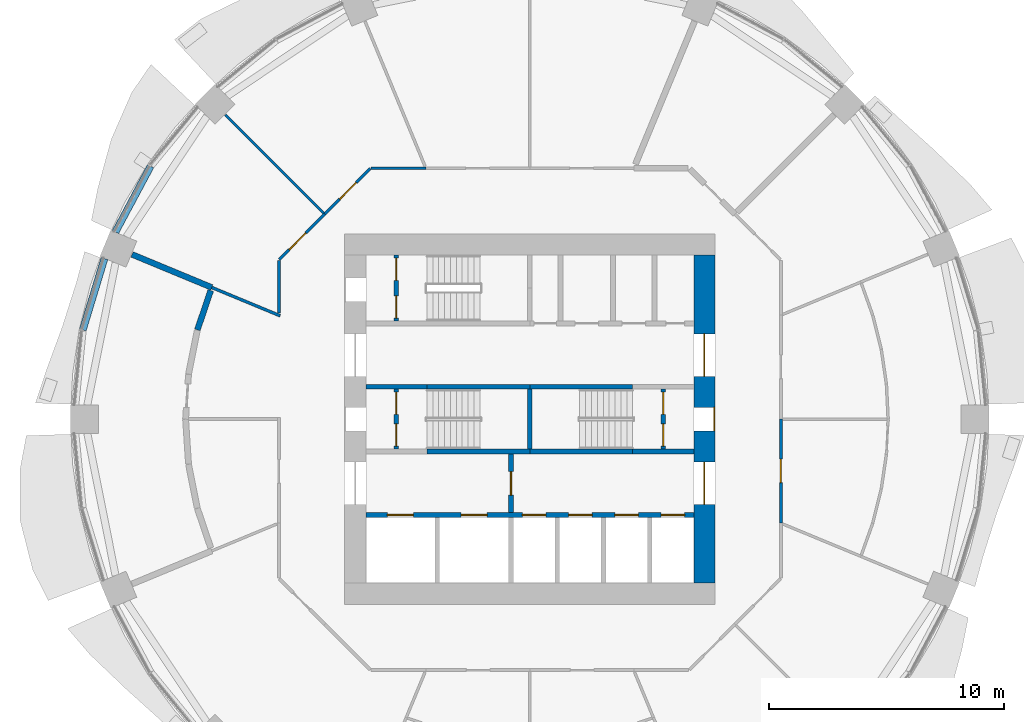
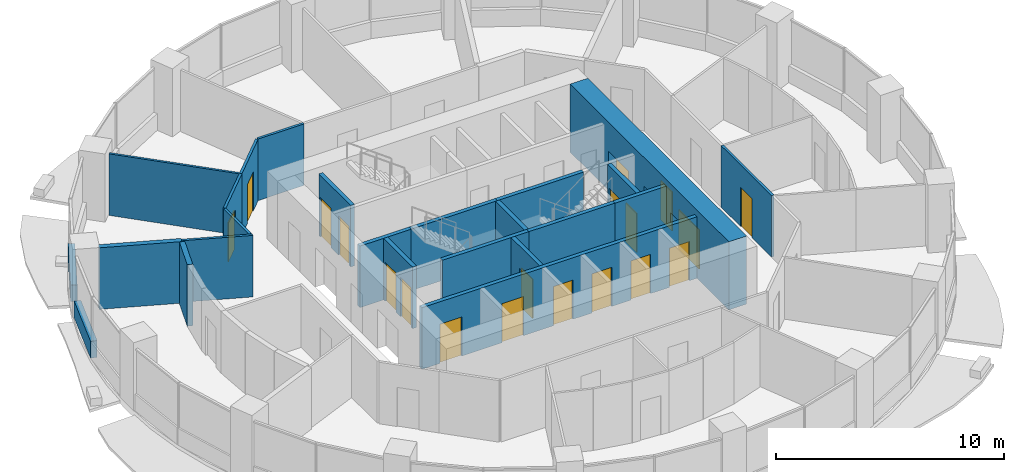
# One storey, part 9 of 15: 24 walls, 19 doors, 19 openings.
"""IFC4 building model written with IfcOpenShell, lengths in metres."""

from ifc_helpers import new_model, si_unit, direction, frame, frame_2d, origin, place, context, subcontext, project, spatial, rectangle, extrude, material, layer, layer_set, type_object, element, fill, save


model = new_model("IFC4")

# Units and contexts
model_context = context("Model", 3, precision=1e-05, world=origin(), true_north=direction((0.0, 1.0)))
body_context = subcontext(model_context, "Body", "Model", "MODEL_VIEW")
ifc_project = project(units=[si_unit("LENGTHUNIT", "METRE"), si_unit("AREAUNIT", "SQUARE_METRE"), si_unit("VOLUMEUNIT", "CUBIC_METRE"), si_unit("PLANEANGLEUNIT", "RADIAN"), si_unit("MASSUNIT", "GRAM", prefix="KILO")], contexts=[model_context])

# Site, building, storey
site_placement = place(None, origin())
site = spatial("IfcSite", under=ifc_project, at=site_placement, CompositionType="ELEMENT")
building_placement = place(site_placement, origin())
building = spatial("IfcBuilding", under=site, at=building_placement, Name="Polderwave Tower", CompositionType="ELEMENT")
storey_placement = place(building_placement, frame((0.0, 0.0, 62.699951171875)))
storey = spatial("IfcBuildingStorey", under=building, at=storey_placement, Name="L16", CompositionType="ELEMENT", Elevation=62.699951171875)

# Wall, openings, doors
ifc_material_1 = material(Name="Concrete C80/95", Category="concrete")
ifc_layer_1 = layer(ifc_material_1, 0.89990234375)
ifc_layer_set_1 = layer_set([ifc_layer_1], Name="CORE WALL 900 C80/95")
wall_type_1 = type_object("IfcWallType", Name="CORE WALL 900 C80/95", PredefinedType="SHEAR", material=ifc_layer_set_1)
wall_1_placement = place(storey_placement, frame((7.424072265625, -6.97412109375, 0.0), z_axis=(0.0, 0.0, 1.0), x_axis=(0.0, 1.0, 0.0)))
wall_1 = element("IfcWall", 1, at=wall_1_placement, inside=storey, type_object=wall_type_1, Name="ST-CORE-L16-E", PredefinedType="SHEAR", context=body_context, shape_type="SweptSolid", body=[
    extrude(rectangle(XDim=13.9482421875, YDim=0.89990234375, at=frame_2d((6.97412109375, 0.0))), origin(), (0.0, 0.0, 1.0), 3.650146484375),
])
opening_1_placement = place(wall_1_placement, frame((6.47412109375, 0.0, 0.0)))
opening_1 = element("IfcOpeningElement", 2, at=opening_1_placement, cuts=wall_1, Name="Opening L16-D22", PredefinedType="OPENING", context=body_context, shape_type="SweptSolid", body=[
    extrude(rectangle(XDim=1.0, YDim=2.10009765625, at=frame_2d((0.5, 1.050048828125))), frame((0.0, 0.4599609375, 0.0), z_axis=(0.0, -1.0, 0.0), x_axis=(1.0, 0.0, 0.0)), (0.0, 0.0, 1.0), 0.919921875),
])
opening_2_placement = place(wall_1_placement, frame((3.349609375, 0.0, 0.0)))
opening_2 = element("IfcOpeningElement", 3, at=opening_2_placement, cuts=wall_1, Name="Opening L16-D23", PredefinedType="OPENING", context=body_context, shape_type="SweptSolid", body=[
    extrude(rectangle(XDim=1.800048828125, YDim=2.10009765625, at=frame_2d((0.89990234375, 1.050048828125))), frame((0.0, 0.4599609375, 0.0), z_axis=(0.0, -1.0, 0.0), x_axis=(1.0, 0.0, 0.0)), (0.0, 0.0, 1.0), 0.919921875),
])
opening_3_placement = place(wall_1_placement, frame((8.798583984375, 0.0, 0.0)))
opening_3 = element("IfcOpeningElement", 4, at=opening_3_placement, cuts=wall_1, Name="Opening L16-D24", PredefinedType="OPENING", context=body_context, shape_type="SweptSolid", body=[
    extrude(rectangle(XDim=1.800048828125, YDim=2.10009765625, at=frame_2d((0.89990234375, 1.050048828125))), frame((0.0, 0.4599609375, 0.0), z_axis=(0.0, -1.0, 0.0), x_axis=(1.0, 0.0, 0.0)), (0.0, 0.0, 1.0), 0.919921875),
])
ifc_material_2 = material(Name="Steel fire door", Category="steel")
door_type_1 = type_object("IfcDoorType", Name="Lobby entry door pair 1800", OperationType="DOUBLE_DOOR_SINGLE_SWING", PredefinedType="DOOR", material=ifc_material_2)
door_1_placement = place(opening_2_placement, frame((1.800048828125, 0.0, 0.0), z_axis=(0.0, 0.0, 1.0), x_axis=(-1.0, 0.0, 0.0)))
door_1 = element("IfcDoor", 5, at=door_1_placement, inside=storey, type_object=door_type_1, Name="South lobby entry door", OperationType="DOUBLE_DOOR_SINGLE_SWING", OverallHeight=2.10009765625, OverallWidth=1.800048828125, PredefinedType="DOOR", context=body_context, shape_type="SweptSolid", body=[
    extrude(rectangle(XDim=1.800048828125, YDim=2.10009765625, at=frame_2d((0.89990234375, 1.050048828125))), frame((0.0, 0.02490234375, 0.0), z_axis=(0.0, -1.0, 0.0), x_axis=(1.0, 0.0, 0.0)), (0.0, 0.0, 1.0), 0.050048828125),
])
fill(opening_2, door_1)
door_2_placement = place(opening_3_placement, frame((1.800048828125, 0.0, 0.0), z_axis=(0.0, 0.0, 1.0), x_axis=(-1.0, 0.0, 0.0)))
door_2 = element("IfcDoor", 6, at=door_2_placement, inside=storey, type_object=door_type_1, Name="North lobby entry door", OperationType="DOUBLE_DOOR_SINGLE_SWING", OverallHeight=2.10009765625, OverallWidth=1.800048828125, PredefinedType="DOOR", context=body_context, shape_type="SweptSolid", body=[
    extrude(rectangle(XDim=1.800048828125, YDim=2.10009765625, at=frame_2d((0.89990234375, 1.050048828125))), frame((0.0, 0.02490234375, 0.0), z_axis=(0.0, -1.0, 0.0), x_axis=(1.0, 0.0, 0.0)), (0.0, 0.0, 1.0), 0.050048828125),
])
fill(opening_3, door_2)
door_type_2 = type_object("IfcDoorType", Name="Stair door 1000", OperationType="NOTDEFINED", PredefinedType="DOOR", material=ifc_material_2)
door_3_placement = place(opening_1_placement, frame((1.0, 0.0, 0.0), z_axis=(0.0, 0.0, 1.0), x_axis=(-1.0, 0.0, 0.0)))
door_3 = element("IfcDoor", 7, at=door_3_placement, inside=storey, type_object=door_type_2, Name="Stair B entry door", OperationType="SINGLE_SWING_LEFT", OverallHeight=2.10009765625, OverallWidth=1.0, PredefinedType="DOOR", context=body_context, shape_type="SweptSolid", body=[
    extrude(rectangle(XDim=1.0, YDim=2.10009765625, at=frame_2d((0.5, 1.050048828125))), frame((0.0, 0.4501953125, 0.0), z_axis=(0.0, -1.0, 0.0), x_axis=(1.0, 0.0, 0.0)), (0.0, 0.0, 1.0), 0.050048828125),
])
fill(opening_1, door_3)

# Walls
ifc_material_3 = material(Name="Concrete C50/60 (board-marked)", Category="concrete")
ifc_layer_2 = layer(ifc_material_3, 0.300048828125)
ifc_layer_set_2 = layer_set([ifc_layer_2], Name="Concrete spandrel upstand C50/60")
wall_type_2 = type_object("IfcWallType", Name="Concrete spandrel upstand C50/60", PredefinedType="SOLIDWALL", material=ifc_layer_set_2)
wall_2_placement = place(storey_placement, frame((-16.129150390625, 10.7587890625, 0.0), z_axis=(0.0, 0.0, 1.0), x_axis=(-0.47123575379, -0.882007292685, 0.0)))
element("IfcWall", 8, at=wall_2_placement, inside=storey, type_object=wall_type_2, Name="Spandrel L16 7b", PredefinedType="SOLIDWALL", context=body_context, shape_type="SweptSolid", body=[
    extrude(rectangle(XDim=3.169677734375, YDim=0.300048828125, at=frame_2d((1.5849609375, 0.0))), origin(), (0.0, 0.0, 1.0), 0.900146484375),
])
wall_3_placement = place(storey_placement, frame((-18.09228515625, 6.82958984375, 0.0), z_axis=(0.0, 0.0, 1.0), x_axis=(-0.290456409527, -0.956888224489, 0.0)))
element("IfcWall", 9, at=wall_3_placement, inside=storey, type_object=wall_type_2, Name="Spandrel L16 8a", PredefinedType="SOLIDWALL", context=body_context, shape_type="SweptSolid", body=[
    extrude(rectangle(XDim=3.1689453125, YDim=0.300048828125, at=frame_2d((1.58447265625, 0.0))), origin(), (0.0, 0.0, 1.0), 0.900146484375),
])

# Wall, opening, door
ifc_material_4 = material(Name="Gypsum board partition")
ifc_layer_3 = layer(ifc_material_4, 0.199951171875)
ifc_layer_set_3 = layer_set([ifc_layer_3], Name="Core room partition 200")
wall_type_3 = type_object("IfcWallType", Name="Core room partition 200", PredefinedType="PARTITIONING", material=ifc_layer_set_3)
wall_4_placement = place(storey_placement, frame((-0.800048828125, -3.97412109375, 0.0), z_axis=(0.0, 0.0, 1.0), x_axis=(0.0, 1.0, 0.0)))
wall_4 = element("IfcWall", 10, at=wall_4_placement, inside=storey, type_object=wall_type_3, Name="L16 fire-fighting lobby wall", PredefinedType="PARTITIONING", context=body_context, shape_type="SweptSolid", body=[
    extrude(rectangle(XDim=2.4990234375, YDim=0.199951171875, at=frame_2d((1.24951171875, 0.0))), origin(), (0.0, 0.0, 1.0), 3.300048828125),
])
opening_4_placement = place(wall_4_placement, frame((0.74951171875, 0.0, 0.0)))
opening_4 = element("IfcOpeningElement", 11, at=opening_4_placement, cuts=wall_4, Name="Opening L16-D13", PredefinedType="OPENING", context=body_context, shape_type="SweptSolid", body=[
    extrude(rectangle(XDim=1.0, YDim=2.10009765625, at=frame_2d((0.5, 1.050048828125))), frame((0.0, 0.10986328125, 0.0), z_axis=(0.0, -1.0, 0.0), x_axis=(1.0, 0.0, 0.0)), (0.0, 0.0, 1.0), 0.219970703125),
])
door_type_3 = type_object("IfcDoorType", Name="Lobby fire door 1000", OperationType="NOTDEFINED", PredefinedType="DOOR", material=ifc_material_2)
door_4_placement = place(opening_4_placement, frame((1.0, 0.0, 0.0), z_axis=(0.0, 0.0, 1.0), x_axis=(-1.0, 0.0, 0.0)))
door_4 = element("IfcDoor", 12, at=door_4_placement, inside=storey, type_object=door_type_3, Name="Fire-fighting lobby door", OperationType="SINGLE_SWING_LEFT", OverallHeight=2.10009765625, OverallWidth=1.0, PredefinedType="DOOR", context=body_context, shape_type="SweptSolid", body=[
    extrude(rectangle(XDim=1.0, YDim=2.10009765625, at=frame_2d((0.5, 1.050048828125))), frame((0.0, 0.02490234375, 0.0), z_axis=(0.0, -1.0, 0.0), x_axis=(1.0, 0.0, 0.0)), (0.0, 0.0, 1.0), 0.050048828125),
])
fill(opening_4, door_4)

# Wall, openings, doors
wall_5_placement = place(storey_placement, frame((-5.674072265625, -1.27490234375, 0.0), z_axis=(0.0, 0.0, 1.0), x_axis=(0.0, 1.0, 0.0)))
wall_5 = element("IfcWall", 13, at=wall_5_placement, inside=storey, type_object=wall_type_3, Name="L16 smoke lobby wall A", PredefinedType="PARTITIONING", context=body_context, shape_type="SweptSolid", body=[
    extrude(rectangle(XDim=2.5498046875, YDim=0.199951171875, at=frame_2d((1.27490234375, 0.0))), origin(), (0.0, 0.0, 1.0), 3.300048828125),
])
opening_5_placement = place(wall_5_placement, frame((0.125, 0.0, 0.0)))
opening_5 = element("IfcOpeningElement", 14, at=opening_5_placement, cuts=wall_5, Name="Opening L16-D07", PredefinedType="OPENING", context=body_context, shape_type="SweptSolid", body=[
    extrude(rectangle(XDim=0.949951171875, YDim=2.10009765625, at=frame_2d((0.47509765625, 1.050048828125))), frame((0.0, 0.10986328125, 0.0), z_axis=(0.0, -1.0, 0.0), x_axis=(1.0, 0.0, 0.0)), (0.0, 0.0, 1.0), 0.219970703125),
])
opening_6_placement = place(wall_5_placement, frame((1.47509765625, 0.0, 0.0)))
opening_6 = element("IfcOpeningElement", 15, at=opening_6_placement, cuts=wall_5, Name="Opening L16-D08", PredefinedType="OPENING", context=body_context, shape_type="SweptSolid", body=[
    extrude(rectangle(XDim=0.949951171875, YDim=2.10009765625, at=frame_2d((0.47509765625, 1.050048828125))), frame((0.0, 0.10986328125, 0.0), z_axis=(0.0, -1.0, 0.0), x_axis=(1.0, 0.0, 0.0)), (0.0, 0.0, 1.0), 0.219970703125),
])
door_type_4 = type_object("IfcDoorType", Name="Smoke lobby door 950", OperationType="NOTDEFINED", PredefinedType="DOOR", material=ifc_material_2)
door_5_placement = place(opening_5_placement, origin())
door_5 = element("IfcDoor", 16, at=door_5_placement, inside=storey, type_object=door_type_4, Name="Stair A smoke lobby inner door", OperationType="SINGLE_SWING_LEFT", OverallHeight=2.10009765625, OverallWidth=0.949951171875, PredefinedType="DOOR", context=body_context, shape_type="SweptSolid", body=[
    extrude(rectangle(XDim=0.949951171875, YDim=2.10009765625, at=frame_2d((0.47509765625, 1.050048828125))), frame((0.0, 0.02490234375, 0.0), z_axis=(0.0, -1.0, 0.0), x_axis=(1.0, 0.0, 0.0)), (0.0, 0.0, 1.0), 0.050048828125),
])
fill(opening_5, door_5)
door_6_placement = place(opening_6_placement, origin())
door_6 = element("IfcDoor", 17, at=door_6_placement, inside=storey, type_object=door_type_4, Name="Stair A smoke lobby inner door", OperationType="SINGLE_SWING_RIGHT", OverallHeight=2.10009765625, OverallWidth=0.949951171875, PredefinedType="DOOR", context=body_context, shape_type="SweptSolid", body=[
    extrude(rectangle(XDim=0.949951171875, YDim=2.10009765625, at=frame_2d((0.47509765625, 1.050048828125))), frame((0.0, 0.02490234375, 0.0), z_axis=(0.0, -1.0, 0.0), x_axis=(1.0, 0.0, 0.0)), (0.0, 0.0, 1.0), 0.050048828125),
])
fill(opening_6, door_6)

wall_6_placement = place(storey_placement, frame((5.674072265625, -1.27490234375, 0.0), z_axis=(0.0, 0.0, 1.0), x_axis=(0.0, 1.0, 0.0)))
wall_6 = element("IfcWall", 18, at=wall_6_placement, inside=storey, type_object=wall_type_3, Name="L16 smoke lobby wall B", PredefinedType="PARTITIONING", context=body_context, shape_type="SweptSolid", body=[
    extrude(rectangle(XDim=2.5498046875, YDim=0.199951171875, at=frame_2d((1.27490234375, 0.0))), origin(), (0.0, 0.0, 1.0), 3.300048828125),
])
opening_7_placement = place(wall_6_placement, frame((0.125, 0.0, 0.0)))
opening_7 = element("IfcOpeningElement", 19, at=opening_7_placement, cuts=wall_6, Name="Opening L16-D09", PredefinedType="OPENING", context=body_context, shape_type="SweptSolid", body=[
    extrude(rectangle(XDim=0.949951171875, YDim=2.10009765625, at=frame_2d((0.47509765625, 1.050048828125))), frame((0.0, 0.10986328125, 0.0), z_axis=(0.0, -1.0, 0.0), x_axis=(1.0, 0.0, 0.0)), (0.0, 0.0, 1.0), 0.219970703125),
])
opening_8_placement = place(wall_6_placement, frame((1.47509765625, 0.0, 0.0)))
opening_8 = element("IfcOpeningElement", 20, at=opening_8_placement, cuts=wall_6, Name="Opening L16-D10", PredefinedType="OPENING", context=body_context, shape_type="SweptSolid", body=[
    extrude(rectangle(XDim=0.949951171875, YDim=2.10009765625, at=frame_2d((0.47509765625, 1.050048828125))), frame((0.0, 0.10986328125, 0.0), z_axis=(0.0, -1.0, 0.0), x_axis=(1.0, 0.0, 0.0)), (0.0, 0.0, 1.0), 0.219970703125),
])
door_7_placement = place(opening_7_placement, frame((0.949951171875, 0.0, 0.0), z_axis=(0.0, 0.0, 1.0), x_axis=(-1.0, 0.0, 0.0)))
door_7 = element("IfcDoor", 21, at=door_7_placement, inside=storey, type_object=door_type_4, Name="Stair B smoke lobby inner door", OperationType="SINGLE_SWING_RIGHT", OverallHeight=2.10009765625, OverallWidth=0.949951171875, PredefinedType="DOOR", context=body_context, shape_type="SweptSolid", body=[
    extrude(rectangle(XDim=0.949951171875, YDim=2.10009765625, at=frame_2d((0.47509765625, 1.050048828125))), frame((0.0, 0.02490234375, 0.0), z_axis=(0.0, -1.0, 0.0), x_axis=(1.0, 0.0, 0.0)), (0.0, 0.0, 1.0), 0.050048828125),
])
fill(opening_7, door_7)
door_8_placement = place(opening_8_placement, frame((0.949951171875, 0.0, 0.0), z_axis=(0.0, 0.0, 1.0), x_axis=(-1.0, 0.0, 0.0)))
door_8 = element("IfcDoor", 22, at=door_8_placement, inside=storey, type_object=door_type_4, Name="Stair B smoke lobby inner door", OperationType="SINGLE_SWING_LEFT", OverallHeight=2.10009765625, OverallWidth=0.949951171875, PredefinedType="DOOR", context=body_context, shape_type="SweptSolid", body=[
    extrude(rectangle(XDim=0.949951171875, YDim=2.10009765625, at=frame_2d((0.47509765625, 1.050048828125))), frame((0.0, 0.02490234375, 0.0), z_axis=(0.0, -1.0, 0.0), x_axis=(1.0, 0.0, 0.0)), (0.0, 0.0, 1.0), 0.050048828125),
])
fill(opening_8, door_8)

wall_7_placement = place(storey_placement, frame((-5.674072265625, 4.174072265625, 0.0), z_axis=(0.0, 0.0, 1.0), x_axis=(0.0, 1.0, 0.0)))
wall_7 = element("IfcWall", 23, at=wall_7_placement, inside=storey, type_object=wall_type_3, Name="L16 smoke lobby wall C", PredefinedType="PARTITIONING", context=body_context, shape_type="SweptSolid", body=[
    extrude(rectangle(XDim=2.800048828125, YDim=0.199951171875, at=frame_2d((1.39990234375, 0.0))), origin(), (0.0, 0.0, 1.0), 3.300048828125),
])
opening_9_placement = place(wall_7_placement, frame((0.125, 0.0, 0.0)))
opening_9 = element("IfcOpeningElement", 24, at=opening_9_placement, cuts=wall_7, Name="Opening L16-D11", PredefinedType="OPENING", context=body_context, shape_type="SweptSolid", body=[
    extrude(rectangle(XDim=0.949951171875, YDim=2.10009765625, at=frame_2d((0.47509765625, 1.050048828125))), frame((0.0, 0.10986328125, 0.0), z_axis=(0.0, -1.0, 0.0), x_axis=(1.0, 0.0, 0.0)), (0.0, 0.0, 1.0), 0.219970703125),
])
opening_10_placement = place(wall_7_placement, frame((1.72509765625, 0.0, 0.0)))
opening_10 = element("IfcOpeningElement", 25, at=opening_10_placement, cuts=wall_7, Name="Opening L16-D12", PredefinedType="OPENING", context=body_context, shape_type="SweptSolid", body=[
    extrude(rectangle(XDim=0.949951171875, YDim=2.10009765625, at=frame_2d((0.47509765625, 1.050048828125))), frame((0.0, 0.10986328125, 0.0), z_axis=(0.0, -1.0, 0.0), x_axis=(1.0, 0.0, 0.0)), (0.0, 0.0, 1.0), 0.219970703125),
])
door_9_placement = place(opening_9_placement, origin())
door_9 = element("IfcDoor", 26, at=door_9_placement, inside=storey, type_object=door_type_4, Name="Stair C smoke lobby inner door", OperationType="SINGLE_SWING_LEFT", OverallHeight=2.10009765625, OverallWidth=0.949951171875, PredefinedType="DOOR", context=body_context, shape_type="SweptSolid", body=[
    extrude(rectangle(XDim=0.949951171875, YDim=2.10009765625, at=frame_2d((0.47509765625, 1.050048828125))), frame((0.0, 0.02490234375, 0.0), z_axis=(0.0, -1.0, 0.0), x_axis=(1.0, 0.0, 0.0)), (0.0, 0.0, 1.0), 0.050048828125),
])
fill(opening_9, door_9)
door_10_placement = place(opening_10_placement, origin())
door_10 = element("IfcDoor", 27, at=door_10_placement, inside=storey, type_object=door_type_4, Name="Stair C smoke lobby inner door", OperationType="SINGLE_SWING_RIGHT", OverallHeight=2.10009765625, OverallWidth=0.949951171875, PredefinedType="DOOR", context=body_context, shape_type="SweptSolid", body=[
    extrude(rectangle(XDim=0.949951171875, YDim=2.10009765625, at=frame_2d((0.47509765625, 1.050048828125))), frame((0.0, 0.02490234375, 0.0), z_axis=(0.0, -1.0, 0.0), x_axis=(1.0, 0.0, 0.0)), (0.0, 0.0, 1.0), 0.050048828125),
])
fill(opening_10, door_10)

ifc_material_5 = material(Name="Concrete C50/60", Category="concrete")
ifc_layer_4 = layer(ifc_material_5, 0.199951171875)
ifc_layer_set_4 = layer_set([ifc_layer_4], Name="Core web wall 200")
wall_type_4 = type_object("IfcWallType", Name="Core web wall 200", PredefinedType="SHEAR", material=ifc_layer_set_4)
wall_8_placement = place(storey_placement, frame((-6.97412109375, -4.073974609375, 0.0), z_axis=(0.0, 0.0, 1.0), x_axis=(1.0, 0.0, 0.0)))
wall_8 = element("IfcWall", 28, at=wall_8_placement, inside=storey, type_object=wall_type_4, Name="L16 south front wall", PredefinedType="SHEAR", context=body_context, shape_type="SweptSolid", body=[
    extrude(rectangle(XDim=13.9482421875, YDim=0.199951171875, at=frame_2d((6.97412109375, 0.0))), origin(), (0.0, 0.0, 1.0), 3.300048828125),
])
opening_11_placement = place(wall_8_placement, frame((0.91845703125, 0.0, 0.0)))
opening_11 = element("IfcOpeningElement", 29, at=opening_11_placement, cuts=wall_8, Name="Opening L16-D01", PredefinedType="OPENING", context=body_context, shape_type="SweptSolid", body=[
    extrude(rectangle(XDim=1.10009765625, YDim=2.10009765625, at=frame_2d((0.550048828125, 1.050048828125))), frame((0.0, 0.10986328125, 0.0), z_axis=(0.0, -1.0, 0.0), x_axis=(1.0, 0.0, 0.0)), (0.0, 0.0, 1.0), 0.219970703125),
])
opening_12_placement = place(wall_8_placement, frame((4.055419921875, 0.0, 0.0)))
opening_12 = element("IfcOpeningElement", 30, at=opening_12_placement, cuts=wall_8, Name="Opening L16-D02", PredefinedType="OPENING", context=body_context, shape_type="SweptSolid", body=[
    extrude(rectangle(XDim=1.10009765625, YDim=2.10009765625, at=frame_2d((0.550048828125, 1.050048828125))), frame((0.0, 0.10986328125, 0.0), z_axis=(0.0, -1.0, 0.0), x_axis=(1.0, 0.0, 0.0)), (0.0, 0.0, 1.0), 0.219970703125),
])
opening_13_placement = place(wall_8_placement, frame((6.658203125, 0.0, 0.0)))
opening_13 = element("IfcOpeningElement", 31, at=opening_13_placement, cuts=wall_8, Name="Opening L16-D03", PredefinedType="OPENING", context=body_context, shape_type="SweptSolid", body=[
    extrude(rectangle(XDim=1.0, YDim=2.10009765625, at=frame_2d((0.5, 1.050048828125))), frame((0.0, 0.10986328125, 0.0), z_axis=(0.0, -1.0, 0.0), x_axis=(1.0, 0.0, 0.0)), (0.0, 0.0, 1.0), 0.219970703125),
])
opening_14_placement = place(wall_8_placement, frame((8.626708984375, 0.0, 0.0)))
opening_14 = element("IfcOpeningElement", 32, at=opening_14_placement, cuts=wall_8, Name="Opening L16-D04", PredefinedType="OPENING", context=body_context, shape_type="SweptSolid", body=[
    extrude(rectangle(XDim=1.0, YDim=2.10009765625, at=frame_2d((0.5, 1.050048828125))), frame((0.0, 0.10986328125, 0.0), z_axis=(0.0, -1.0, 0.0), x_axis=(1.0, 0.0, 0.0)), (0.0, 0.0, 1.0), 0.219970703125),
])
opening_15_placement = place(wall_8_placement, frame((10.59521484375, 0.0, 0.0)))
opening_15 = element("IfcOpeningElement", 33, at=opening_15_placement, cuts=wall_8, Name="Opening L16-D05", PredefinedType="OPENING", context=body_context, shape_type="SweptSolid", body=[
    extrude(rectangle(XDim=1.0, YDim=2.10009765625, at=frame_2d((0.5, 1.050048828125))), frame((0.0, 0.10986328125, 0.0), z_axis=(0.0, -1.0, 0.0), x_axis=(1.0, 0.0, 0.0)), (0.0, 0.0, 1.0), 0.219970703125),
])
opening_16_placement = place(wall_8_placement, frame((12.563720703125, 0.0, 0.0)))
opening_16 = element("IfcOpeningElement", 34, at=opening_16_placement, cuts=wall_8, Name="Opening L16-D06", PredefinedType="OPENING", context=body_context, shape_type="SweptSolid", body=[
    extrude(rectangle(XDim=1.0, YDim=2.10009765625, at=frame_2d((0.5, 1.050048828125))), frame((0.0, 0.10986328125, 0.0), z_axis=(0.0, -1.0, 0.0), x_axis=(1.0, 0.0, 0.0)), (0.0, 0.0, 1.0), 0.219970703125),
])
ifc_material_6 = material(Name="Stainless steel", Category="steel")
door_type_5 = type_object("IfcDoorType", Name="Fire-fighting lift landing door 1100", OperationType="DOUBLE_DOOR_SLIDING", PredefinedType="DOOR", material=ifc_material_6)
door_11_placement = place(opening_11_placement, origin())
door_11 = element("IfcDoor", 35, at=door_11_placement, inside=storey, type_object=door_type_5, Name="Fire-fighting lift FF1 landing door", OperationType="DOUBLE_DOOR_SLIDING", OverallHeight=2.10009765625, OverallWidth=1.10009765625, PredefinedType="DOOR", context=body_context, shape_type="SweptSolid", body=[
    extrude(rectangle(XDim=1.10009765625, YDim=2.10009765625, at=frame_2d((0.550048828125, 1.050048828125))), frame((0.0, 0.02490234375, 0.0), z_axis=(0.0, -1.0, 0.0), x_axis=(1.0, 0.0, 0.0)), (0.0, 0.0, 1.0), 0.050048828125),
])
fill(opening_11, door_11)
door_12_placement = place(opening_12_placement, origin())
door_12 = element("IfcDoor", 36, at=door_12_placement, inside=storey, type_object=door_type_5, Name="Fire-fighting lift FF2 landing door", OperationType="DOUBLE_DOOR_SLIDING", OverallHeight=2.10009765625, OverallWidth=1.10009765625, PredefinedType="DOOR", context=body_context, shape_type="SweptSolid", body=[
    extrude(rectangle(XDim=1.10009765625, YDim=2.10009765625, at=frame_2d((0.550048828125, 1.050048828125))), frame((0.0, 0.02490234375, 0.0), z_axis=(0.0, -1.0, 0.0), x_axis=(1.0, 0.0, 0.0)), (0.0, 0.0, 1.0), 0.050048828125),
])
fill(opening_12, door_12)
door_type_6 = type_object("IfcDoorType", Name="Lift landing door 1000", OperationType="DOUBLE_DOOR_SLIDING", PredefinedType="DOOR", material=ifc_material_6)
door_13_placement = place(opening_13_placement, origin())
door_13 = element("IfcDoor", 37, at=door_13_placement, inside=storey, type_object=door_type_6, Name="Lift LL1 landing door", OperationType="DOUBLE_DOOR_SLIDING", OverallHeight=2.10009765625, OverallWidth=1.0, PredefinedType="DOOR", context=body_context, shape_type="SweptSolid", body=[
    extrude(rectangle(XDim=1.0, YDim=2.10009765625, at=frame_2d((0.5, 1.050048828125))), frame((0.0, 0.02490234375, 0.0), z_axis=(0.0, -1.0, 0.0), x_axis=(1.0, 0.0, 0.0)), (0.0, 0.0, 1.0), 0.050048828125),
])
fill(opening_13, door_13)
door_14_placement = place(opening_14_placement, origin())
door_14 = element("IfcDoor", 38, at=door_14_placement, inside=storey, type_object=door_type_6, Name="Lift LL2 landing door", OperationType="DOUBLE_DOOR_SLIDING", OverallHeight=2.10009765625, OverallWidth=1.0, PredefinedType="DOOR", context=body_context, shape_type="SweptSolid", body=[
    extrude(rectangle(XDim=1.0, YDim=2.10009765625, at=frame_2d((0.5, 1.050048828125))), frame((0.0, 0.02490234375, 0.0), z_axis=(0.0, -1.0, 0.0), x_axis=(1.0, 0.0, 0.0)), (0.0, 0.0, 1.0), 0.050048828125),
])
fill(opening_14, door_14)
door_15_placement = place(opening_15_placement, origin())
door_15 = element("IfcDoor", 39, at=door_15_placement, inside=storey, type_object=door_type_6, Name="Lift LL3 landing door", OperationType="DOUBLE_DOOR_SLIDING", OverallHeight=2.10009765625, OverallWidth=1.0, PredefinedType="DOOR", context=body_context, shape_type="SweptSolid", body=[
    extrude(rectangle(XDim=1.0, YDim=2.10009765625, at=frame_2d((0.5, 1.050048828125))), frame((0.0, 0.02490234375, 0.0), z_axis=(0.0, -1.0, 0.0), x_axis=(1.0, 0.0, 0.0)), (0.0, 0.0, 1.0), 0.050048828125),
])
fill(opening_15, door_15)
door_16_placement = place(opening_16_placement, origin())
door_16 = element("IfcDoor", 40, at=door_16_placement, inside=storey, type_object=door_type_6, Name="Lift LL4 landing door", OperationType="DOUBLE_DOOR_SLIDING", OverallHeight=2.10009765625, OverallWidth=1.0, PredefinedType="DOOR", context=body_context, shape_type="SweptSolid", body=[
    extrude(rectangle(XDim=1.0, YDim=2.10009765625, at=frame_2d((0.5, 1.050048828125))), frame((0.0, 0.02490234375, 0.0), z_axis=(0.0, -1.0, 0.0), x_axis=(1.0, 0.0, 0.0)), (0.0, 0.0, 1.0), 0.050048828125),
])
fill(opening_16, door_16)

# Walls
for number, where, z_axis, x_axis, name in (
    (41, (-4.3740234375, -1.375, 0.0), (0.0, 0.0, 1.0), (1.0, 0.0, 0.0), "L16 south stair wall 2"),
    (42, (0.0, -1.375, 0.0), (0.0, 0.0, 1.0), (1.0, 0.0, 0.0), "L16 south stair wall 3"),
):
    element("IfcWall", number, at=place(storey_placement, frame(where, z_axis=z_axis, x_axis=x_axis)), inside=storey, type_object=wall_type_4, Name=name, PredefinedType="SHEAR", context=body_context, shape_type="SweptSolid", body=[
        extrude(rectangle(XDim=4.3740234375, YDim=0.199951171875, at=frame_2d((2.18701171875, 0.0))), origin(), (0.0, 0.0, 1.0), 3.300048828125),
    ])
for number, where, z_axis, x_axis, name in (
    (43, (4.3740234375, -1.375, 0.0), (0.0, 0.0, 1.0), (1.0, 0.0, 0.0), "L16 south stair wall 4"),
    (44, (-6.97412109375, 1.375, 0.0), (0.0, 0.0, 1.0), (1.0, 0.0, 0.0), "L16 north stair wall 1"),
):
    element("IfcWall", number, at=place(storey_placement, frame(where, z_axis=z_axis, x_axis=x_axis)), inside=storey, type_object=wall_type_4, Name=name, PredefinedType="SHEAR", context=body_context, shape_type="SweptSolid", body=[
        extrude(rectangle(XDim=2.60009765625, YDim=0.199951171875, at=frame_2d((1.300048828125, 0.0))), origin(), (0.0, 0.0, 1.0), 3.300048828125),
    ])
for number, where, z_axis, x_axis, name in (
    (45, (-4.3740234375, 1.375, 0.0), (0.0, 0.0, 1.0), (1.0, 0.0, 0.0), "L16 north stair wall 2"),
    (46, (0.0, 1.375, 0.0), (0.0, 0.0, 1.0), (1.0, 0.0, 0.0), "L16 north stair wall 3"),
):
    element("IfcWall", number, at=place(storey_placement, frame(where, z_axis=z_axis, x_axis=x_axis)), inside=storey, type_object=wall_type_4, Name=name, PredefinedType="SHEAR", context=body_context, shape_type="SweptSolid", body=[
        extrude(rectangle(XDim=4.3740234375, YDim=0.199951171875, at=frame_2d((2.18701171875, 0.0))), origin(), (0.0, 0.0, 1.0), 3.300048828125),
    ])
wall_9_placement = place(storey_placement, frame((0.0, -1.27490234375, 0.0), z_axis=(0.0, 0.0, 1.0), x_axis=(0.0, 1.0, 0.0)))
element("IfcWall", 47, at=wall_9_placement, inside=storey, type_object=wall_type_4, Name="L16 wall between the stairs", PredefinedType="SHEAR", context=body_context, shape_type="SweptSolid", body=[
    extrude(rectangle(XDim=2.5498046875, YDim=0.199951171875, at=frame_2d((1.27490234375, 0.0))), origin(), (0.0, 0.0, 1.0), 3.300048828125),
])

# Wall, opening, door
ifc_material_7 = material(Name="Fire-resisting board on steel studs", Category="steel")
ifc_layer_5 = layer(ifc_material_7, 0.125)
ifc_layer_set_5 = layer_set([ifc_layer_5], Name="Corridor wall 125 mm EI 60")
wall_type_5 = type_object("IfcWallType", Name="Corridor wall 125 mm EI 60", PredefinedType="PARTITIONING", material=ifc_layer_set_5)
wall_10_placement = place(storey_placement, frame((10.674072265625, 0.0, 0.0), z_axis=(0.0, 0.0, 1.0), x_axis=(0.0, -1.0, 0.0)))
wall_10 = element("IfcWall", 48, at=wall_10_placement, inside=storey, type_object=wall_type_5, Name="IN-L16-W006", PredefinedType="PARTITIONING", context=body_context, shape_type="SweptSolid", body=[
    extrude(rectangle(XDim=4.42138671875, YDim=0.125, at=frame_2d((2.210693359375, 0.0))), origin(), (0.0, 0.0, 1.0), 3.300048828125),
])
opening_17_placement = place(wall_10_placement, frame((1.699951171875, 0.0, 0.0)))
opening_17 = element("IfcOpeningElement", 49, at=opening_17_placement, cuts=wall_10, Name="Opening L16-D53", PredefinedType="OPENING", context=body_context, shape_type="SweptSolid", body=[
    extrude(rectangle(XDim=1.0, YDim=2.10009765625, at=frame_2d((0.5, 1.050048828125))), frame((0.0, 0.072509765625, 0.0), z_axis=(0.0, -1.0, 0.0), x_axis=(1.0, 0.0, 0.0)), (0.0, 0.0, 1.0), 0.14501953125),
])
ifc_material_8 = material(Name="Timber fire door leaf", Category="wood")
door_type_7 = type_object("IfcDoorType", Name="Fire door FD30S 1000 x 2100", OperationType="NOTDEFINED", PredefinedType="DOOR", material=ifc_material_8)
door_17_placement = place(opening_17_placement, origin())
door_17 = element("IfcDoor", 50, at=door_17_placement, inside=storey, type_object=door_type_7, Name="Door L16-D53", OperationType="SINGLE_SWING_LEFT", OverallHeight=2.10009765625, OverallWidth=1.0, PredefinedType="DOOR", context=body_context, shape_type="SweptSolid", body=[
    extrude(rectangle(XDim=1.0, YDim=2.10009765625, at=frame_2d((0.5, 1.050048828125))), frame((0.0, 0.02490234375, 0.0), z_axis=(0.0, -1.0, 0.0), x_axis=(1.0, 0.0, 0.0)), (0.0, 0.0, 1.0), 0.050048828125),
])
fill(opening_17, door_17)

wall_11_placement = place(storey_placement, frame((-8.722412109375, 8.722412109375, 0.0), z_axis=(0.0, 0.0, 1.0), x_axis=(0.707062130741, 0.707151428813, 0.0)))
wall_11 = element("IfcWall", 51, at=wall_11_placement, inside=storey, type_object=wall_type_5, Name="IN-L16-W011", PredefinedType="PARTITIONING", context=body_context, shape_type="SweptSolid", body=[
    extrude(rectangle(XDim=2.73388671875, YDim=0.125, at=frame_2d((1.366943359375, 0.0))), origin(), (0.0, 0.0, 1.0), 3.300048828125),
])
opening_18_placement = place(wall_11_placement, frame((0.89990234375, 0.0, 0.0)))
opening_18 = element("IfcOpeningElement", 52, at=opening_18_placement, cuts=wall_11, Name="Opening L16-D57", PredefinedType="OPENING", context=body_context, shape_type="SweptSolid", body=[
    extrude(rectangle(XDim=1.0, YDim=2.10009765625, at=frame_2d((0.5, 1.050048828125))), frame((0.0, 0.072509765625, 0.0), z_axis=(0.0, -1.0, 0.0), x_axis=(1.0, 0.0, 0.0)), (0.0, 0.0, 1.0), 0.14501953125),
])
door_18_placement = place(opening_18_placement, origin())
door_18 = element("IfcDoor", 53, at=door_18_placement, inside=storey, type_object=door_type_7, Name="Door L16-D57", OperationType="SINGLE_SWING_RIGHT", OverallHeight=2.10009765625, OverallWidth=1.0, PredefinedType="DOOR", context=body_context, shape_type="SweptSolid", body=[
    extrude(rectangle(XDim=1.0, YDim=2.10009765625, at=frame_2d((0.5, 1.050048828125))), frame((0.0, 0.02490234375, 0.0), z_axis=(0.0, -1.0, 0.0), x_axis=(1.0, 0.0, 0.0)), (0.0, 0.0, 1.0), 0.050048828125),
])
fill(opening_18, door_18)

# Walls
wall_12_placement = place(storey_placement, frame((-6.7451171875, 10.674072265625, 0.0), z_axis=(0.0, 0.0, 1.0), x_axis=(1.0, 0.0, 0.0)))
element("IfcWall", 54, at=wall_12_placement, inside=storey, type_object=wall_type_5, Name="IN-L16-W012", PredefinedType="PARTITIONING", context=body_context, shape_type="SweptSolid", body=[
    extrude(rectangle(XDim=2.32373046875, YDim=0.125, at=frame_2d((1.161865234375, 0.0))), origin(), (0.0, 0.0, 1.0), 3.300048828125),
])
wall_13_placement = place(storey_placement, frame((-10.674072265625, 4.514892578125, 0.0), z_axis=(0.0, 0.0, 1.0), x_axis=(0.0, 1.0, 0.0)))
element("IfcWall", 55, at=wall_13_placement, inside=storey, type_object=wall_type_5, Name="IN-L16-W013", PredefinedType="PARTITIONING", context=body_context, shape_type="SweptSolid", body=[
    extrude(rectangle(XDim=2.230224609375, YDim=0.125, at=frame_2d((1.115234375, 0.0))), origin(), (0.0, 0.0, 1.0), 3.300048828125),
])

# Wall, opening, door
wall_14_placement = place(storey_placement, frame((-10.65576171875, 6.789306640625, 0.0), z_axis=(0.0, 0.0, 1.0), x_axis=(0.707151428813, 0.707062130741, 0.0)))
wall_14 = element("IfcWall", 56, at=wall_14_placement, inside=storey, type_object=wall_type_5, Name="IN-L16-W014", PredefinedType="PARTITIONING", context=body_context, shape_type="SweptSolid", body=[
    extrude(rectangle(XDim=2.73388671875, YDim=0.125, at=frame_2d((1.366943359375, 0.0))), origin(), (0.0, 0.0, 1.0), 3.300048828125),
])
opening_19_placement = place(wall_14_placement, frame((0.60009765625, 0.0, 0.0)))
opening_19 = element("IfcOpeningElement", 57, at=opening_19_placement, cuts=wall_14, Name="Opening L16-D58", PredefinedType="OPENING", context=body_context, shape_type="SweptSolid", body=[
    extrude(rectangle(XDim=1.0, YDim=2.10009765625, at=frame_2d((0.5, 1.050048828125))), frame((0.0, 0.072509765625, 0.0), z_axis=(0.0, -1.0, 0.0), x_axis=(1.0, 0.0, 0.0)), (0.0, 0.0, 1.0), 0.14501953125),
])
door_19_placement = place(opening_19_placement, origin())
door_19 = element("IfcDoor", 58, at=door_19_placement, inside=storey, type_object=door_type_7, Name="Door L16-D58", OperationType="SINGLE_SWING_LEFT", OverallHeight=2.10009765625, OverallWidth=1.0, PredefinedType="DOOR", context=body_context, shape_type="SweptSolid", body=[
    extrude(rectangle(XDim=1.0, YDim=2.10009765625, at=frame_2d((0.5, 1.050048828125))), frame((0.0, 0.02490234375, 0.0), z_axis=(0.0, -1.0, 0.0), x_axis=(1.0, 0.0, 0.0)), (0.0, 0.0, 1.0), 0.050048828125),
])
fill(opening_19, door_19)

# Walls
wall_15_placement = place(storey_placement, frame((-10.6162109375, 4.3974609375, 0.0), z_axis=(0.0, 0.0, 1.0), x_axis=(-0.923884549049, 0.382671321147, 0.0)))
element("IfcWall", 59, at=wall_15_placement, inside=storey, type_object=wall_type_5, Name="IN-L16-W041", PredefinedType="PARTITIONING", context=body_context, shape_type="SweptSolid", body=[
    extrude(rectangle(XDim=3.149169921875, YDim=0.125, at=frame_2d((1.57470703125, 0.0))), origin(), (0.0, 0.0, 1.0), 3.300048828125),
])
ifc_material_9 = material(Name="Acoustic double plasterboard on steel studs", Category="steel")
ifc_layer_6 = layer(ifc_material_9, 0.110107421875)
ifc_layer_set_6 = layer_set([ifc_layer_6], Name="Partition 110 mm acoustic double board")
wall_type_6 = type_object("IfcWallType", Name="Partition 110 mm acoustic double board", PredefinedType="PARTITIONING", material=ifc_layer_set_6)
wall_16_placement = place(storey_placement, frame((-8.7666015625, 8.7666015625, 0.0), z_axis=(0.0, 0.0, 1.0), x_axis=(-0.707106781187, 0.707106781187, 0.0)))
element("IfcWall", 60, at=wall_16_placement, inside=storey, type_object=wall_type_6, Name="IN-L16-W040", PredefinedType="PARTITIONING", context=body_context, shape_type="SweptSolid", body=[
    extrude(rectangle(XDim=5.912109375, YDim=0.110107421875, at=frame_2d((2.9560546875, 0.0))), origin(), (0.0, 0.0, 1.0), 3.300048828125),
])
ifc_material_10 = material(Name="Fire-resisting board on steel studs, mineral wool", Category="steel")
ifc_layer_7 = layer(ifc_material_10, 0.25)
ifc_layer_set_7 = layer_set([ifc_layer_7], Name="Plant room wall 250 mm EI 120")
wall_type_7 = type_object("IfcWallType", Name="Plant room wall 250 mm EI 120", PredefinedType="PARTITIONING", material=ifc_layer_set_7)
wall_17_placement = place(storey_placement, frame((-13.525634765625, 5.6025390625, 0.0), z_axis=(0.0, 0.0, 1.0), x_axis=(-0.923870076355, 0.382706260748, 0.0)))
element("IfcWall", 61, at=wall_17_placement, inside=storey, type_object=wall_type_7, Name="IN-L16-W042", PredefinedType="PARTITIONING", context=body_context, shape_type="SweptSolid", body=[
    extrude(rectangle(XDim=3.669921875, YDim=0.25, at=frame_2d((1.8349609375, 0.0))), origin(), (0.0, 0.0, 1.0), 3.300048828125),
])
wall_18_placement = place(storey_placement, frame((-14.138671875, 3.796875, 0.0), z_axis=(0.0, 0.0, 1.0), x_axis=(0.321468303742, 0.946920339674, 0.0)))
element("IfcWall", 62, at=wall_18_placement, inside=storey, type_object=wall_type_7, Name="IN-L16-W045", PredefinedType="PARTITIONING", context=body_context, shape_type="SweptSolid", body=[
    extrude(rectangle(XDim=1.7734375, YDim=0.25, at=frame_2d((0.88671875, 0.0))), origin(), (0.0, 0.0, 1.0), 3.300048828125),
])

save(model, "model.ifc")
